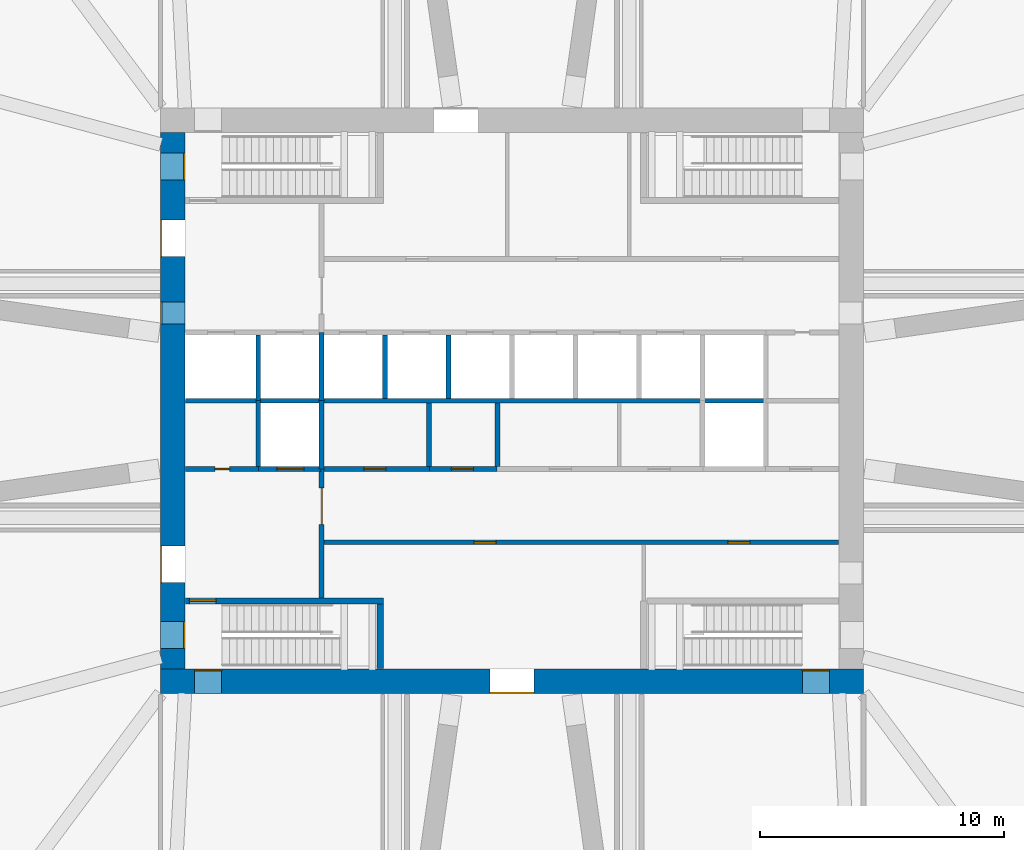
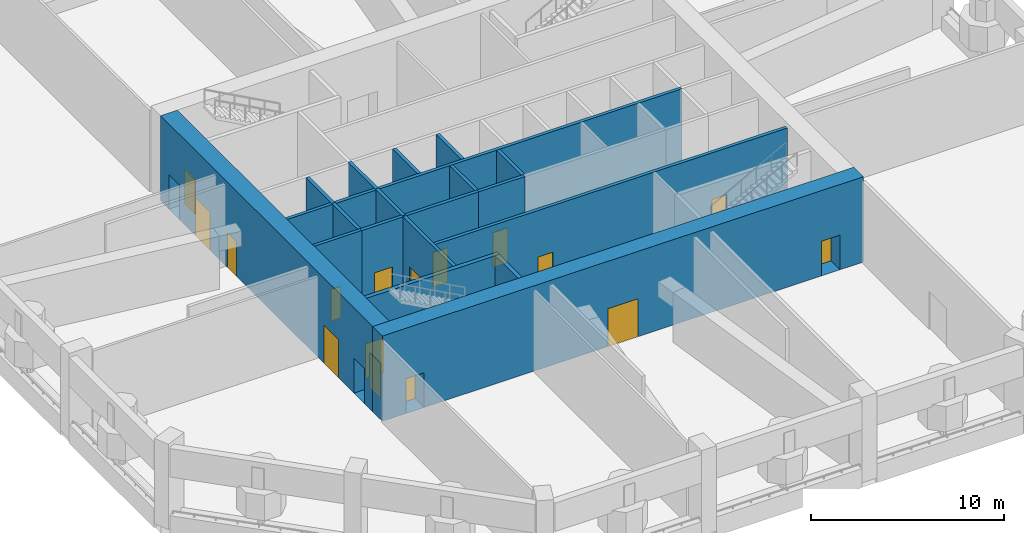
# One storey, part 3 of 9: 19 walls, 16 doors, 16 openings.
"""IFC4 building model written with IfcOpenShell, lengths in metres."""

from ifc_helpers import new_model, si_unit, direction, frame, frame_2d, origin, place, context, subcontext, project, spatial, rectangle, extrude, material, layer, layer_set, type_object, element, fill, save


model = new_model("IFC4")

# Units and contexts
model_context = context("Model", 3, precision=1e-05, world=origin(), true_north=direction((0.0, 1.0)))
body_context = subcontext(model_context, "Body", "Model", "MODEL_VIEW")
ifc_project = project(units=[si_unit("LENGTHUNIT", "METRE"), si_unit("AREAUNIT", "SQUARE_METRE"), si_unit("VOLUMEUNIT", "CUBIC_METRE"), si_unit("PLANEANGLEUNIT", "RADIAN"), si_unit("MASSUNIT", "GRAM", prefix="KILO")], contexts=[model_context])

# Site, building, storey
site_placement = place(None, origin())
site = spatial("IfcSite", under=ifc_project, at=site_placement, CompositionType="ELEMENT")
building_placement = place(site_placement, origin())
building = spatial("IfcBuilding", under=site, at=building_placement, Name="Msitu Wima Residences", CompositionType="ELEMENT")
storey_placement = place(building_placement, frame((0.0, 0.0, 101.10009765625)))
storey = spatial("IfcBuildingStorey", under=building, at=storey_placement, Name="L23", CompositionType="ELEMENT", Elevation=101.10009765625)

# Wall, openings, doors
ifc_material_1 = material(Name="Concrete C80/95", Category="concrete")
ifc_layer_1 = layer(ifc_material_1, 1.0)
ifc_layer_set_1 = layer_set([ifc_layer_1], Name="Concrete C80/95")
wall_type_1 = type_object("IfcWallType", Name="Core wall CW1000 C80/95", PredefinedType="SHEAR", material=ifc_layer_set_1)
wall_1_placement = place(storey_placement, frame((-14.39990234375, -11.5, 0.0), z_axis=(0.0, 0.0, 1.0), x_axis=(1.0, 0.0, 0.0)))
wall_1 = element("IfcWall", 1, at=wall_1_placement, inside=storey, type_object=wall_type_1, Name="Core wall", PredefinedType="SHEAR", context=body_context, shape_type="SweptSolid", body=[
    extrude(rectangle(XDim=28.7998046875, YDim=1.0, at=frame_2d((14.39990234375, 0.0))), origin(), (0.0, 0.0, 1.0), 5.39990234375),
])
opening_1_placement = place(wall_1_placement, frame((1.39990234375, 0.0, 0.0)))
opening_1 = element("IfcOpeningElement", 2, at=opening_1_placement, cuts=wall_1, Name="Opening D23.018", PredefinedType="OPENING", context=body_context, shape_type="SweptSolid", body=[
    extrude(rectangle(XDim=1.10009765625, YDim=2.199951171875, at=frame_2d((0.550048828125, 1.10009765625))), frame((0.0, 0.510009765625, 0.0), z_axis=(0.0, -1.0, 0.0), x_axis=(1.0, 0.0, 0.0)), (0.0, 0.0, 1.0), 1.02001953125),
])
opening_2_placement = place(wall_1_placement, frame((26.300048828125, 0.0, 0.0)))
opening_2 = element("IfcOpeningElement", 3, at=opening_2_placement, cuts=wall_1, Name="Opening D23.020", PredefinedType="OPENING", context=body_context, shape_type="SweptSolid", body=[
    extrude(rectangle(XDim=1.10009765625, YDim=2.199951171875, at=frame_2d((0.550048828125, 1.10009765625))), frame((0.0, 0.510009765625, 0.0), z_axis=(0.0, -1.0, 0.0), x_axis=(1.0, 0.0, 0.0)), (0.0, 0.0, 1.0), 1.02001953125),
])
opening_3_placement = place(wall_1_placement, frame((13.5, 0.0, 0.0)))
opening_3 = element("IfcOpeningElement", 4, at=opening_3_placement, cuts=wall_1, Name="Opening D23.022", PredefinedType="OPENING", context=body_context, shape_type="SweptSolid", body=[
    extrude(rectangle(XDim=1.800048828125, YDim=2.39990234375, at=frame_2d((0.89990234375, 1.199951171875))), frame((0.0, 0.510009765625, 0.0), z_axis=(0.0, -1.0, 0.0), x_axis=(1.0, 0.0, 0.0)), (0.0, 0.0, 1.0), 1.02001953125),
])
ifc_material_2 = material(Name="Steel door, fire resisting", Category="steel")
door_type_1 = type_object("IfcDoorType", Name="Plant room door D09 1800x2400", OperationType="DOUBLE_DOOR_SINGLE_SWING", PredefinedType="DOOR", material=ifc_material_2)
door_1_placement = place(opening_3_placement, origin())
door_1 = element("IfcDoor", 5, at=door_1_placement, inside=storey, type_object=door_type_1, Name="Plant room door", OperationType="DOUBLE_DOOR_SINGLE_SWING", OverallHeight=2.39990234375, OverallWidth=1.800048828125, PredefinedType="DOOR", context=body_context, shape_type="SweptSolid", body=[
    extrude(rectangle(XDim=1.800048828125, YDim=2.39990234375, at=frame_2d((0.89990234375, 1.199951171875))), frame((0.0, -0.44482421875, 0.0), z_axis=(0.0, -1.0, 0.0), x_axis=(1.0, 0.0, 0.0)), (0.0, 0.0, 1.0), 0.050048828125),
])
fill(opening_3, door_1)
ifc_material_3 = material(Name="Steel door, fire resisting, panic bar", Category="steel")
door_type_2 = type_object("IfcDoorType", Name="Stair door D06 1100x2200", OperationType="SINGLE_SWING_LEFT", PredefinedType="DOOR", material=ifc_material_3)
door_2_placement = place(opening_1_placement, origin())
door_2 = element("IfcDoor", 6, at=door_2_placement, inside=storey, type_object=door_type_2, Name="Stair door", OperationType="SINGLE_SWING_LEFT", OverallHeight=2.199951171875, OverallWidth=1.10009765625, PredefinedType="DOOR", context=body_context, shape_type="SweptSolid", body=[
    extrude(rectangle(XDim=1.10009765625, YDim=2.199951171875, at=frame_2d((0.550048828125, 1.10009765625))), frame((0.0, 0.4951171875, 0.0), z_axis=(0.0, -1.0, 0.0), x_axis=(1.0, 0.0, 0.0)), (0.0, 0.0, 1.0), 0.050048828125),
])
fill(opening_1, door_2)
door_3_placement = place(opening_2_placement, origin())
door_3 = element("IfcDoor", 7, at=door_3_placement, inside=storey, type_object=door_type_2, Name="Stair door", OperationType="SINGLE_SWING_RIGHT", OverallHeight=2.199951171875, OverallWidth=1.10009765625, PredefinedType="DOOR", context=body_context, shape_type="SweptSolid", body=[
    extrude(rectangle(XDim=1.10009765625, YDim=2.199951171875, at=frame_2d((0.550048828125, 1.10009765625))), frame((0.0, 0.4951171875, 0.0), z_axis=(0.0, -1.0, 0.0), x_axis=(1.0, 0.0, 0.0)), (0.0, 0.0, 1.0), 0.050048828125),
])
fill(opening_2, door_3)

wall_2_placement = place(storey_placement, frame((-13.89990234375, -11.0, 0.0), z_axis=(0.0, 0.0, 1.0), x_axis=(0.0, 1.0, 0.0)))
wall_2 = element("IfcWall", 8, at=wall_2_placement, inside=storey, type_object=wall_type_1, Name="Core wall", PredefinedType="SHEAR", context=body_context, shape_type="SweptSolid", body=[
    extrude(rectangle(XDim=22.0, YDim=1.0, at=frame_2d((11.0, 0.0))), origin(), (0.0, 0.0, 1.0), 5.39990234375),
])
opening_4_placement = place(wall_2_placement, frame((16.89990234375, 0.0, 0.0)))
opening_4 = element("IfcOpeningElement", 9, at=opening_4_placement, cuts=wall_2, Name="Opening D23.026", PredefinedType="OPENING", context=body_context, shape_type="SweptSolid", body=[
    extrude(rectangle(XDim=1.5, YDim=2.39990234375, at=frame_2d((0.75, 1.199951171875))), frame((0.0, 0.510009765625, 0.0), z_axis=(0.0, -1.0, 0.0), x_axis=(1.0, 0.0, 0.0)), (0.0, 0.0, 1.0), 1.02001953125),
])
opening_5_placement = place(wall_2_placement, frame((20.050048828125, 0.0, 0.0)))
opening_5 = element("IfcOpeningElement", 10, at=opening_5_placement, cuts=wall_2, Name="Opening D23.027", PredefinedType="OPENING", context=body_context, shape_type="SweptSolid", body=[
    extrude(rectangle(XDim=1.10009765625, YDim=2.199951171875, at=frame_2d((0.550048828125, 1.10009765625))), frame((0.0, 0.510009765625, 0.0), z_axis=(0.0, -1.0, 0.0), x_axis=(1.0, 0.0, 0.0)), (0.0, 0.0, 1.0), 1.02001953125),
])
opening_6_placement = place(wall_2_placement, frame((14.14990234375, 0.0, 0.0)))
opening_6 = element("IfcOpeningElement", 11, at=opening_6_placement, cuts=wall_2, Name="Opening D23.028", PredefinedType="OPENING", context=body_context, shape_type="SweptSolid", body=[
    extrude(rectangle(XDim=0.89990234375, YDim=2.199951171875, at=frame_2d((0.449951171875, 1.10009765625))), frame((0.0, 0.510009765625, 0.0), z_axis=(0.0, -1.0, 0.0), x_axis=(1.0, 0.0, 0.0)), (0.0, 0.0, 1.0), 1.02001953125),
])
opening_7_placement = place(wall_2_placement, frame((3.550048828125, 0.0, 0.0)))
opening_7 = element("IfcOpeningElement", 12, at=opening_7_placement, cuts=wall_2, Name="Opening D23.029", PredefinedType="OPENING", context=body_context, shape_type="SweptSolid", body=[
    extrude(rectangle(XDim=1.5, YDim=2.39990234375, at=frame_2d((0.75, 1.199951171875))), frame((0.0, 0.510009765625, 0.0), z_axis=(0.0, -1.0, 0.0), x_axis=(1.0, 0.0, 0.0)), (0.0, 0.0, 1.0), 1.02001953125),
])
opening_8_placement = place(wall_2_placement, frame((0.85009765625, 0.0, 0.0)))
opening_8 = element("IfcOpeningElement", 13, at=opening_8_placement, cuts=wall_2, Name="Opening D23.030", PredefinedType="OPENING", context=body_context, shape_type="SweptSolid", body=[
    extrude(rectangle(XDim=1.10009765625, YDim=2.199951171875, at=frame_2d((0.550048828125, 1.10009765625))), frame((0.0, 0.510009765625, 0.0), z_axis=(0.0, -1.0, 0.0), x_axis=(1.0, 0.0, 0.0)), (0.0, 0.0, 1.0), 1.02001953125),
])
ifc_material_4 = material(Name="Steel framed glazed door, fire resisting", Category="steel")
door_type_3 = type_object("IfcDoorType", Name="Lobby door D07 1500x2400", OperationType="DOUBLE_DOOR_SINGLE_SWING", PredefinedType="DOOR", material=ifc_material_4)
door_4_placement = place(opening_4_placement, origin())
door_4 = element("IfcDoor", 14, at=door_4_placement, inside=storey, type_object=door_type_3, Name="Lobby door", OperationType="DOUBLE_DOOR_SINGLE_SWING", OverallHeight=2.39990234375, OverallWidth=1.5, PredefinedType="DOOR", context=body_context, shape_type="SweptSolid", body=[
    extrude(rectangle(XDim=1.5, YDim=2.39990234375, at=frame_2d((0.75, 1.199951171875))), frame((0.0, 0.4951171875, 0.0), z_axis=(0.0, -1.0, 0.0), x_axis=(1.0, 0.0, 0.0)), (0.0, 0.0, 1.0), 0.050048828125),
])
fill(opening_4, door_4)
door_5_placement = place(opening_7_placement, origin())
door_5 = element("IfcDoor", 15, at=door_5_placement, inside=storey, type_object=door_type_3, Name="Lobby door", OperationType="DOUBLE_DOOR_SINGLE_SWING", OverallHeight=2.39990234375, OverallWidth=1.5, PredefinedType="DOOR", context=body_context, shape_type="SweptSolid", body=[
    extrude(rectangle(XDim=1.5, YDim=2.39990234375, at=frame_2d((0.75, 1.199951171875))), frame((0.0, 0.4951171875, 0.0), z_axis=(0.0, -1.0, 0.0), x_axis=(1.0, 0.0, 0.0)), (0.0, 0.0, 1.0), 0.050048828125),
])
fill(opening_7, door_5)
ifc_material_5 = material(Name="Timber flush door", Category="wood")
door_type_4 = type_object("IfcDoorType", Name="Service door D05 900x2200", OperationType="SINGLE_SWING_LEFT", PredefinedType="DOOR", material=ifc_material_5)
door_6_placement = place(opening_6_placement, origin())
door_6 = element("IfcDoor", 16, at=door_6_placement, inside=storey, type_object=door_type_4, Name="Service door", OperationType="SINGLE_SWING_RIGHT", OverallHeight=2.199951171875, OverallWidth=0.89990234375, PredefinedType="DOOR", context=body_context, shape_type="SweptSolid", body=[
    extrude(rectangle(XDim=0.89990234375, YDim=2.199951171875, at=frame_2d((0.449951171875, 1.10009765625))), frame((0.0, 0.4951171875, 0.0), z_axis=(0.0, -1.0, 0.0), x_axis=(1.0, 0.0, 0.0)), (0.0, 0.0, 1.0), 0.050048828125),
])
fill(opening_6, door_6)
door_7_placement = place(opening_5_placement, origin())
door_7 = element("IfcDoor", 17, at=door_7_placement, inside=storey, type_object=door_type_2, Name="Stair door", OperationType="SINGLE_SWING_RIGHT", OverallHeight=2.199951171875, OverallWidth=1.10009765625, PredefinedType="DOOR", context=body_context, shape_type="SweptSolid", body=[
    extrude(rectangle(XDim=1.10009765625, YDim=2.199951171875, at=frame_2d((0.550048828125, 1.10009765625))), frame((0.0, -0.44482421875, 0.0), z_axis=(0.0, -1.0, 0.0), x_axis=(1.0, 0.0, 0.0)), (0.0, 0.0, 1.0), 0.050048828125),
])
fill(opening_5, door_7)
door_8_placement = place(opening_8_placement, origin())
door_8 = element("IfcDoor", 18, at=door_8_placement, inside=storey, type_object=door_type_2, Name="Stair door", OperationType="SINGLE_SWING_LEFT", OverallHeight=2.199951171875, OverallWidth=1.10009765625, PredefinedType="DOOR", context=body_context, shape_type="SweptSolid", body=[
    extrude(rectangle(XDim=1.10009765625, YDim=2.199951171875, at=frame_2d((0.550048828125, 1.10009765625))), frame((0.0, -0.44482421875, 0.0), z_axis=(0.0, -1.0, 0.0), x_axis=(1.0, 0.0, 0.0)), (0.0, 0.0, 1.0), 0.050048828125),
])
fill(opening_8, door_8)

# Wall, opening, door
ifc_material_6 = material(Name="Plaster")
ifc_layer_2 = layer(ifc_material_6, 0.011962890625, Name="Plaster")
ifc_material_7 = material(Name="Concrete blockwork", Category="masonry")
ifc_layer_3 = layer(ifc_material_7, 0.176025390625, Name="Concrete blockwork")
ifc_layer_4 = layer(ifc_material_6, 0.011962890625, Name="Plaster")
ifc_layer_set_2 = layer_set([ifc_layer_2, ifc_layer_3, ifc_layer_4], Name="Concrete blockwork")
wall_type_2 = type_object("IfcWallType", Name="Corridor wall FW200", PredefinedType="PARTITIONING", material=ifc_layer_set_2)
wall_3_placement = place(storey_placement, frame((-7.820068359375, -2.800048828125, 0.0), z_axis=(0.0, 0.0, 1.0), x_axis=(1.0, 0.0, 0.0)))
wall_3 = element("IfcWall", 19, at=wall_3_placement, inside=storey, type_object=wall_type_2, Name="Corridor wall", PredefinedType="PARTITIONING", context=body_context, shape_type="SweptSolid", body=[
    extrude(rectangle(XDim=4.440185546875, YDim=0.199951171875, at=frame_2d((2.22021484375, 0.0))), origin(), (0.0, 0.0, 1.0), 5.14990234375),
])
opening_9_placement = place(wall_3_placement, frame((1.75, 0.0, 0.0)))
opening_9 = element("IfcOpeningElement", 20, at=opening_9_placement, cuts=wall_3, Name="Opening D23.011", PredefinedType="OPENING", context=body_context, shape_type="SweptSolid", body=[
    extrude(rectangle(XDim=0.89990234375, YDim=2.199951171875, at=frame_2d((0.449951171875, 1.10009765625))), frame((0.0, 0.10986328125, 0.0), z_axis=(0.0, -1.0, 0.0), x_axis=(1.0, 0.0, 0.0)), (0.0, 0.0, 1.0), 0.219970703125),
])
door_9_placement = place(opening_9_placement, origin())
door_9 = element("IfcDoor", 21, at=door_9_placement, inside=storey, type_object=door_type_4, Name="Service door", OperationType="SINGLE_SWING_LEFT", OverallHeight=2.199951171875, OverallWidth=0.89990234375, PredefinedType="DOOR", context=body_context, shape_type="SweptSolid", body=[
    extrude(rectangle(XDim=0.89990234375, YDim=2.199951171875, at=frame_2d((0.449951171875, 1.10009765625))), frame((0.0, 0.02490234375, 0.0), z_axis=(0.0, -1.0, 0.0), x_axis=(1.0, 0.0, 0.0)), (0.0, 0.0, 1.0), 0.050048828125),
])
fill(opening_9, door_9)

wall_4_placement = place(storey_placement, frame((-7.800048828125, -8.074951171875, 0.0), z_axis=(0.0, 0.0, 1.0), x_axis=(0.0, 1.0, 0.0)))
wall_4 = element("IfcWall", 22, at=wall_4_placement, inside=storey, type_object=wall_type_2, Name="Corridor wall", PredefinedType="PARTITIONING", context=body_context, shape_type="SweptSolid", body=[
    extrude(rectangle(XDim=5.27490234375, YDim=0.199951171875, at=frame_2d((2.637451171875, 0.0))), origin(), (0.0, 0.0, 1.0), 5.14990234375),
])
opening_10_placement = place(wall_4_placement, frame((3.0, 0.0, 0.0)))
opening_10 = element("IfcOpeningElement", 23, at=opening_10_placement, cuts=wall_4, Name="Opening D23.003", PredefinedType="OPENING", context=body_context, shape_type="SweptSolid", body=[
    extrude(rectangle(XDim=1.5, YDim=2.39990234375, at=frame_2d((0.75, 1.199951171875))), frame((0.0, 0.10986328125, 0.0), z_axis=(0.0, -1.0, 0.0), x_axis=(1.0, 0.0, 0.0)), (0.0, 0.0, 1.0), 0.219970703125),
])
door_10_placement = place(opening_10_placement, origin())
door_10 = element("IfcDoor", 24, at=door_10_placement, inside=storey, type_object=door_type_3, Name="Lobby door", OperationType="DOUBLE_DOOR_SINGLE_SWING", OverallHeight=2.39990234375, OverallWidth=1.5, PredefinedType="DOOR", context=body_context, shape_type="SweptSolid", body=[
    extrude(rectangle(XDim=1.5, YDim=2.39990234375, at=frame_2d((0.75, 1.199951171875))), frame((0.0, 0.02490234375, 0.0), z_axis=(0.0, -1.0, 0.0), x_axis=(1.0, 0.0, 0.0)), (0.0, 0.0, 1.0), 0.050048828125),
])
fill(opening_10, door_10)

# Wall, openings, doors
wall_5_placement = place(storey_placement, frame((-7.699951171875, -5.800048828125, 0.0), z_axis=(0.0, 0.0, 1.0), x_axis=(1.0, 0.0, 0.0)))
wall_5 = element("IfcWall", 25, at=wall_5_placement, inside=storey, type_object=wall_type_2, Name="Corridor wall", PredefinedType="PARTITIONING", context=body_context, shape_type="SweptSolid", body=[
    extrude(rectangle(XDim=21.070068359375, YDim=0.199951171875, at=frame_2d((10.53515625, 0.0))), origin(), (0.0, 0.0, 1.0), 5.14990234375),
])
opening_11_placement = place(wall_5_placement, frame((6.14990234375, 0.0, 0.0)))
opening_11 = element("IfcOpeningElement", 26, at=opening_11_placement, cuts=wall_5, Name="Opening D23.007", PredefinedType="OPENING", context=body_context, shape_type="SweptSolid", body=[
    extrude(rectangle(XDim=0.89990234375, YDim=2.199951171875, at=frame_2d((0.449951171875, 1.10009765625))), frame((0.0, 0.10986328125, 0.0), z_axis=(0.0, -1.0, 0.0), x_axis=(1.0, 0.0, 0.0)), (0.0, 0.0, 1.0), 0.219970703125),
])
opening_12_placement = place(wall_5_placement, frame((16.550048828125, 0.0, 0.0)))
opening_12 = element("IfcOpeningElement", 27, at=opening_12_placement, cuts=wall_5, Name="Opening D23.008", PredefinedType="OPENING", context=body_context, shape_type="SweptSolid", body=[
    extrude(rectangle(XDim=0.89990234375, YDim=2.199951171875, at=frame_2d((0.449951171875, 1.10009765625))), frame((0.0, 0.10986328125, 0.0), z_axis=(0.0, -1.0, 0.0), x_axis=(1.0, 0.0, 0.0)), (0.0, 0.0, 1.0), 0.219970703125),
])
door_11_placement = place(opening_11_placement, origin())
door_11 = element("IfcDoor", 28, at=door_11_placement, inside=storey, type_object=door_type_4, Name="Service door", OperationType="SINGLE_SWING_RIGHT", OverallHeight=2.199951171875, OverallWidth=0.89990234375, PredefinedType="DOOR", context=body_context, shape_type="SweptSolid", body=[
    extrude(rectangle(XDim=0.89990234375, YDim=2.199951171875, at=frame_2d((0.449951171875, 1.10009765625))), frame((0.0, 0.02490234375, 0.0), z_axis=(0.0, -1.0, 0.0), x_axis=(1.0, 0.0, 0.0)), (0.0, 0.0, 1.0), 0.050048828125),
])
fill(opening_11, door_11)
door_12_placement = place(opening_12_placement, origin())
door_12 = element("IfcDoor", 29, at=door_12_placement, inside=storey, type_object=door_type_4, Name="Service door", OperationType="SINGLE_SWING_LEFT", OverallHeight=2.199951171875, OverallWidth=0.89990234375, PredefinedType="DOOR", context=body_context, shape_type="SweptSolid", body=[
    extrude(rectangle(XDim=0.89990234375, YDim=2.199951171875, at=frame_2d((0.449951171875, 1.10009765625))), frame((0.0, 0.02490234375, 0.0), z_axis=(0.0, -1.0, 0.0), x_axis=(1.0, 0.0, 0.0)), (0.0, 0.0, 1.0), 0.050048828125),
])
fill(opening_12, door_12)

# Wall, opening, door
ifc_layer_5 = layer(ifc_material_6, 0.011962890625, Name="Plaster")
ifc_material_8 = material(Name="Reinforced concrete blockwork", Category="masonry")
ifc_layer_6 = layer(ifc_material_8, 0.176025390625, Name="Reinforced concrete blockwork")
ifc_layer_7 = layer(ifc_material_6, 0.011962890625, Name="Plaster")
ifc_layer_set_3 = layer_set([ifc_layer_5, ifc_layer_6, ifc_layer_7], Name="Reinforced concrete blockwork")
wall_type_3 = type_object("IfcWallType", Name="Plant and riser wall PL200", PredefinedType="PARTITIONING", material=ifc_layer_set_3)
wall_6_placement = place(storey_placement, frame((-13.3701171875, -2.800048828125, 0.0), z_axis=(0.0, 0.0, 1.0), x_axis=(1.0, 0.0, 0.0)))
wall_6 = element("IfcWall", 30, at=wall_6_placement, inside=storey, type_object=wall_type_3, Name="Plant and riser wall", PredefinedType="PARTITIONING", context=body_context, shape_type="SweptSolid", body=[
    extrude(rectangle(XDim=2.990234375, YDim=0.199951171875, at=frame_2d((1.4951171875, 0.0))), origin(), (0.0, 0.0, 1.0), 5.14990234375),
])
opening_13_placement = place(wall_6_placement, frame((1.199951171875, 0.0, 0.0)))
opening_13 = element("IfcOpeningElement", 31, at=opening_13_placement, cuts=wall_6, Name="Opening D23.010", PredefinedType="OPENING", context=body_context, shape_type="SweptSolid", body=[
    extrude(rectangle(XDim=0.60009765625, YDim=2.0, at=frame_2d((0.300048828125, 1.0))), frame((0.0, 0.10986328125, 0.0), z_axis=(0.0, -1.0, 0.0), x_axis=(1.0, 0.0, 0.0)), (0.0, 0.0, 1.0), 0.219970703125),
])
ifc_material_9 = material(Name="Steel access door, fire resisting", Category="steel")
door_type_5 = type_object("IfcDoorType", Name="Riser access door D08 600x2000", OperationType="SINGLE_SWING_LEFT", PredefinedType="DOOR", material=ifc_material_9)
door_13_placement = place(opening_13_placement, origin())
door_13 = element("IfcDoor", 32, at=door_13_placement, inside=storey, type_object=door_type_5, Name="Riser access door", OperationType="SINGLE_SWING_RIGHT", OverallHeight=2.0, OverallWidth=0.60009765625, PredefinedType="DOOR", context=body_context, shape_type="SweptSolid", body=[
    extrude(rectangle(XDim=0.60009765625, YDim=2.0, at=frame_2d((0.300048828125, 1.0))), frame((0.0, 0.02490234375, 0.0), z_axis=(0.0, -1.0, 0.0), x_axis=(1.0, 0.0, 0.0)), (0.0, 0.0, 1.0), 0.050048828125),
])
fill(opening_13, door_13)

wall_7_placement = place(storey_placement, frame((-3.3798828125, -2.800048828125, 0.0), z_axis=(0.0, 0.0, 1.0), x_axis=(1.0, 0.0, 0.0)))
wall_7 = element("IfcWall", 33, at=wall_7_placement, inside=storey, type_object=wall_type_3, Name="Plant and riser wall", PredefinedType="PARTITIONING", context=body_context, shape_type="SweptSolid", body=[
    extrude(rectangle(XDim=2.759765625, YDim=0.199951171875, at=frame_2d((1.3798828125, 0.0))), origin(), (0.0, 0.0, 1.0), 5.14990234375),
])
opening_14_placement = place(wall_7_placement, frame((0.89990234375, 0.0, 0.0)))
opening_14 = element("IfcOpeningElement", 34, at=opening_14_placement, cuts=wall_7, Name="Opening D23.012", PredefinedType="OPENING", context=body_context, shape_type="SweptSolid", body=[
    extrude(rectangle(XDim=0.89990234375, YDim=2.199951171875, at=frame_2d((0.449951171875, 1.10009765625))), frame((0.0, 0.10986328125, 0.0), z_axis=(0.0, -1.0, 0.0), x_axis=(1.0, 0.0, 0.0)), (0.0, 0.0, 1.0), 0.219970703125),
])
door_14_placement = place(opening_14_placement, origin())
door_14 = element("IfcDoor", 35, at=door_14_placement, inside=storey, type_object=door_type_4, Name="Service door", OperationType="SINGLE_SWING_LEFT", OverallHeight=2.199951171875, OverallWidth=0.89990234375, PredefinedType="DOOR", context=body_context, shape_type="SweptSolid", body=[
    extrude(rectangle(XDim=0.89990234375, YDim=2.199951171875, at=frame_2d((0.449951171875, 1.10009765625))), frame((0.0, 0.02490234375, 0.0), z_axis=(0.0, -1.0, 0.0), x_axis=(1.0, 0.0, 0.0)), (0.0, 0.0, 1.0), 0.050048828125),
])
fill(opening_14, door_14)

# Walls
for number, where, z_axis, x_axis, name in (
    (36, (-3.39990234375, -2.699951171875, 0.0), (0.0, 0.0, 1.0), (0.0, 1.0, 0.0), "Plant and riser wall"),
    (37, (-0.60009765625, -2.699951171875, 0.0), (0.0, 0.0, 1.0), (0.0, 1.0, 0.0), "Plant and riser wall"),
):
    element("IfcWall", number, at=place(storey_placement, frame(where, z_axis=z_axis, x_axis=x_axis)), inside=storey, type_object=wall_type_3, Name=name, PredefinedType="PARTITIONING", context=body_context, shape_type="SweptSolid", body=[
        extrude(rectangle(XDim=2.599853515625, YDim=0.199951171875, at=frame_2d((1.2998046875, 0.0))), origin(), (0.0, 0.0, 1.0), 5.14990234375),
    ])
ifc_material_10 = material(Name="Fire-rated board")
ifc_layer_8 = layer(ifc_material_10, 0.02490234375, Name="Fire-rated board")
ifc_material_11 = material(Name="Light-gauge stud framing with mineral wool")
ifc_layer_9 = layer(ifc_material_11, 0.14990234375, Name="Light-gauge stud framing with mineral wool")
ifc_layer_10 = layer(ifc_material_10, 0.02490234375, Name="Fire-rated board")
ifc_layer_set_4 = layer_set([ifc_layer_8, ifc_layer_9, ifc_layer_10], Name="Light-gauge stud framing with mineral wool")
wall_type_4 = type_object("IfcWallType", Name="Shaft wall SH200", PredefinedType="PARTITIONING", material=ifc_layer_set_4)
wall_8_placement = place(storey_placement, frame((-13.3701171875, 0.0, 0.0), z_axis=(0.0, 0.0, 1.0), x_axis=(1.0, 0.0, 0.0)))
element("IfcWall", 38, at=wall_8_placement, inside=storey, type_object=wall_type_4, Name="Shaft wall", PredefinedType="PARTITIONING", context=body_context, shape_type="SweptSolid", body=[
    extrude(rectangle(XDim=23.77001953125, YDim=0.199951171875, at=frame_2d((11.885009765625, 0.0))), origin(), (0.0, 0.0, 1.0), 5.14990234375),
])
wall_9_placement = place(storey_placement, frame((-10.39990234375, -2.699951171875, 0.0), z_axis=(0.0, 0.0, 1.0), x_axis=(0.0, 1.0, 0.0)))
element("IfcWall", 39, at=wall_9_placement, inside=storey, type_object=wall_type_4, Name="Shaft wall", PredefinedType="PARTITIONING", context=body_context, shape_type="SweptSolid", body=[
    extrude(rectangle(XDim=2.699951171875, YDim=0.199951171875, at=frame_2d((1.35009765625, 0.0))), origin(), (0.0, 0.0, 1.0), 5.14990234375),
])

# Wall, opening, door
wall_10_placement = place(storey_placement, frame((-10.3798828125, -2.800048828125, 0.0), z_axis=(0.0, 0.0, 1.0), x_axis=(1.0, 0.0, 0.0)))
wall_10 = element("IfcWall", 40, at=wall_10_placement, inside=storey, type_object=wall_type_4, Name="Shaft wall", PredefinedType="PARTITIONING", context=body_context, shape_type="SweptSolid", body=[
    extrude(rectangle(XDim=2.559814453125, YDim=0.199951171875, at=frame_2d((1.27978515625, 0.0))), origin(), (0.0, 0.0, 1.0), 5.14990234375),
])
opening_15_placement = place(wall_10_placement, frame((0.75, 0.0, 0.0)))
opening_15 = element("IfcOpeningElement", 41, at=opening_15_placement, cuts=wall_10, Name="Opening LD", PredefinedType="OPENING", context=body_context, shape_type="SweptSolid", body=[
    extrude(rectangle(XDim=1.10009765625, YDim=2.199951171875, at=frame_2d((0.550048828125, 1.10009765625))), frame((0.0, 0.10986328125, 0.0), z_axis=(0.0, -1.0, 0.0), x_axis=(1.0, 0.0, 0.0)), (0.0, 0.0, 1.0), 0.219970703125),
])
ifc_material_12 = material(Name="Stainless steel centre-opening landing door, rated", Category="steel")
door_type_6 = type_object("IfcDoorType", Name="Lift landing door LD 1100x2200", OperationType="DOUBLE_DOOR_SLIDING", PredefinedType="DOOR", material=ifc_material_12)
door_15_placement = place(opening_15_placement, origin())
door_15 = element("IfcDoor", 42, at=door_15_placement, inside=storey, type_object=door_type_6, Name="Lift landing door LD3", OperationType="DOUBLE_DOOR_SLIDING", OverallHeight=2.199951171875, OverallWidth=1.10009765625, PredefinedType="DOOR", context=body_context, shape_type="SweptSolid", body=[
    extrude(rectangle(XDim=1.10009765625, YDim=2.199951171875, at=frame_2d((0.550048828125, 1.10009765625))), frame((0.0, 0.02490234375, 0.0), z_axis=(0.0, -1.0, 0.0), x_axis=(1.0, 0.0, 0.0)), (0.0, 0.0, 1.0), 0.050048828125),
])
fill(opening_15, door_15)

# Walls
wall_11_placement = place(storey_placement, frame((-10.39990234375, 0.0, 0.0), z_axis=(0.0, 0.0, 1.0), x_axis=(0.0, 1.0, 0.0)))
element("IfcWall", 43, at=wall_11_placement, inside=storey, type_object=wall_type_4, Name="Shaft wall", PredefinedType="PARTITIONING", context=body_context, shape_type="SweptSolid", body=[
    extrude(rectangle(XDim=2.699951171875, YDim=0.199951171875, at=frame_2d((1.35009765625, 0.0))), origin(), (0.0, 0.0, 1.0), 5.14990234375),
])
for number, where, z_axis, x_axis, name in (
    (44, (-7.800048828125, -2.800048828125, 0.0), (0.0, 0.0, 1.0), (0.0, 1.0, 0.0), "Shaft wall"),
    (45, (-7.800048828125, 0.0, 0.0), (0.0, 0.0, 1.0), (0.0, 1.0, 0.0), "Shaft wall"),
):
    element("IfcWall", number, at=place(storey_placement, frame(where, z_axis=z_axis, x_axis=x_axis)), inside=storey, type_object=wall_type_4, Name=name, PredefinedType="PARTITIONING", context=body_context, shape_type="SweptSolid", body=[
        extrude(rectangle(XDim=2.800048828125, YDim=0.199951171875, at=frame_2d((1.39990234375, 0.0))), origin(), (0.0, 0.0, 1.0), 5.14990234375),
    ])
for number, where, z_axis, x_axis, name in (
    (46, (-5.199951171875, 0.10009765625, 0.0), (0.0, 0.0, 1.0), (0.0, 1.0, 0.0), "Shaft wall"),
    (47, (-2.60009765625, 0.10009765625, 0.0), (0.0, 0.0, 1.0), (0.0, 1.0, 0.0), "Shaft wall"),
):
    element("IfcWall", number, at=place(storey_placement, frame(where, z_axis=z_axis, x_axis=x_axis)), inside=storey, type_object=wall_type_4, Name=name, PredefinedType="PARTITIONING", context=body_context, shape_type="SweptSolid", body=[
        extrude(rectangle(XDim=2.599853515625, YDim=0.199951171875, at=frame_2d((1.2998046875, 0.0))), origin(), (0.0, 0.0, 1.0), 5.14990234375),
    ])

# Wall, opening, door
ifc_material_13 = material(Name="Concrete C50/60", Category="concrete")
ifc_layer_11 = layer(ifc_material_13, 0.25)
ifc_layer_set_5 = layer_set([ifc_layer_11], Name="Concrete C50/60")
wall_type_5 = type_object("IfcWallType", Name="Stair enclosure wall SW250", PredefinedType="SHEAR", material=ifc_layer_set_5)
wall_12_placement = place(storey_placement, frame((-13.3701171875, -8.199951171875, 0.0), z_axis=(0.0, 0.0, 1.0), x_axis=(1.0, 0.0, 0.0)))
wall_12 = element("IfcWall", 48, at=wall_12_placement, inside=storey, type_object=wall_type_5, Name="Stair enclosure wall", PredefinedType="SHEAR", context=body_context, shape_type="SweptSolid", body=[
    extrude(rectangle(XDim=8.09521484375, YDim=0.25, at=frame_2d((4.047607421875, 0.0))), origin(), (0.0, 0.0, 1.0), 5.14990234375),
])
opening_16_placement = place(wall_12_placement, frame((0.14990234375, 0.0, 0.0)))
opening_16 = element("IfcOpeningElement", 49, at=opening_16_placement, cuts=wall_12, Name="Opening D23.016", PredefinedType="OPENING", context=body_context, shape_type="SweptSolid", body=[
    extrude(rectangle(XDim=1.10009765625, YDim=2.199951171875, at=frame_2d((0.550048828125, 1.10009765625))), frame((0.0, 0.135009765625, 0.0), z_axis=(0.0, -1.0, 0.0), x_axis=(1.0, 0.0, 0.0)), (0.0, 0.0, 1.0), 0.27001953125),
])
door_16_placement = place(opening_16_placement, origin())
door_16 = element("IfcDoor", 50, at=door_16_placement, inside=storey, type_object=door_type_2, Name="Stair door", OperationType="SINGLE_SWING_RIGHT", OverallHeight=2.199951171875, OverallWidth=1.10009765625, PredefinedType="DOOR", context=body_context, shape_type="SweptSolid", body=[
    extrude(rectangle(XDim=1.10009765625, YDim=2.199951171875, at=frame_2d((0.550048828125, 1.10009765625))), frame((0.0, 0.02490234375, 0.0), z_axis=(0.0, -1.0, 0.0), x_axis=(1.0, 0.0, 0.0)), (0.0, 0.0, 1.0), 0.050048828125),
])
fill(opening_16, door_16)

# Wall
wall_13_placement = place(storey_placement, frame((-5.39990234375, -10.969970703125, 0.0), z_axis=(0.0, 0.0, 1.0), x_axis=(0.0, 1.0, 0.0)))
element("IfcWall", 51, at=wall_13_placement, inside=storey, type_object=wall_type_5, Name="Stair enclosure wall", PredefinedType="SHEAR", context=body_context, shape_type="SweptSolid", body=[
    extrude(rectangle(XDim=2.64501953125, YDim=0.25, at=frame_2d((1.322509765625, 0.0))), origin(), (0.0, 0.0, 1.0), 5.14990234375),
])

save(model, "model.ifc")
